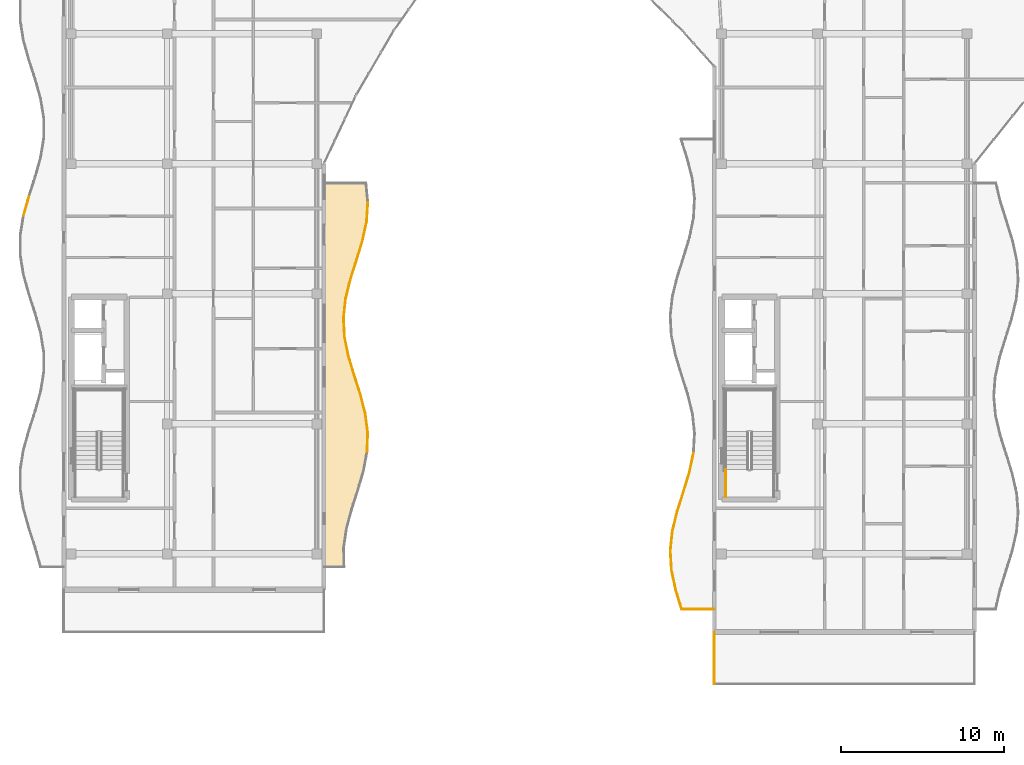
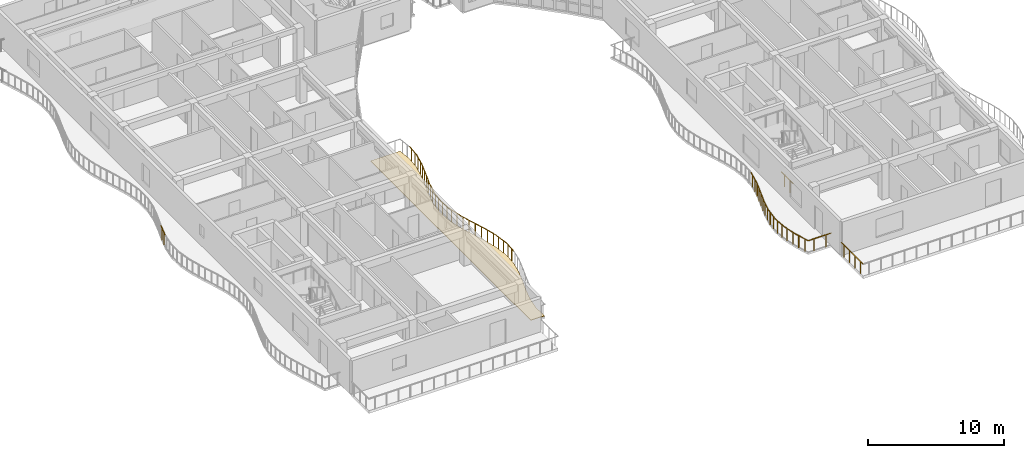
# One storey, part 49 of 71: 25 railings, 1 covering.
"""IFC4 building model written with IfcOpenShell, lengths in metres."""

from ifc_helpers import new_model, si_unit, direction, frame, origin, origin_2d, place, context, subcontext, project, spatial, polyline, circle, outline, extrude, material, layer, layer_set, type_object, element, save


model = new_model("IFC4")

# Units and contexts
model_context = context("Model", 3, precision=1e-05, world=origin(), true_north=direction((0.0, 1.0)))
body_context = subcontext(model_context, "Body", "Model", "MODEL_VIEW")
ifc_project = project(units=[si_unit("LENGTHUNIT", "METRE"), si_unit("AREAUNIT", "SQUARE_METRE"), si_unit("VOLUMEUNIT", "CUBIC_METRE"), si_unit("PLANEANGLEUNIT", "RADIAN"), si_unit("MASSUNIT", "GRAM", prefix="KILO")], contexts=[model_context])

# Site, building, storey
site_placement = place(None, origin())
site = spatial("IfcSite", under=ifc_project, at=site_placement, CompositionType="ELEMENT")
building_placement = place(site_placement, origin())
building = spatial("IfcBuilding", under=site, at=building_placement, Name="Keldmere Railside Commons", CompositionType="ELEMENT")
storey_placement = place(building_placement, frame((0.0, 0.0, 20.159912109375)))
storey = spatial("IfcBuildingStorey", under=building, at=storey_placement, Name="L06", CompositionType="ELEMENT", Elevation=20.159912109375)

# Railings
ifc_material_1 = material(Name="Steel F-24 (S235)", Category="steel")
railing_type_1 = type_object("IfcRailingType", Name="Balcony & Terrace Steel Balustrade 1100", PredefinedType="BALUSTRADE", material=ifc_material_1)
railing_1_placement = place(storey_placement, frame((26.650634765625, 70.280029296875, 0.0)))
element("IfcRailing", 1, at=railing_1_placement, inside=storey, type_object=railing_type_1, Name="GR-1 GRD-L06-0619", PredefinedType="BALUSTRADE", context=body_context, shape_type="SweptSolid", body=[
    extrude(circle(Radius=0.02392578125, at=origin_2d()), frame((0.0, 0.0, 1.076171875), z_axis=(0.034740035652, 0.999396382785, 0.0), x_axis=(-0.999396382785, 0.034740035652, 0.0)), (0.0, 0.0, 1.0), 1.1806640625),
    extrude(circle(Radius=0.02099609375, at=origin_2d()), frame((0.01025390625, 0.294921875, 0.0)), (0.0, 0.0, 1.0), 1.048095703125),
    extrude(circle(Radius=0.02099609375, at=origin_2d()), frame((0.03076171875, 0.885009765625, 0.0)), (0.0, 0.0, 1.0), 1.048095703125),
])
railing_2_placement = place(storey_placement, frame((26.691650390625, 71.4599609375, 0.0)))
element("IfcRailing", 2, at=railing_2_placement, inside=storey, type_object=railing_type_1, Name="GR-1 GRD-L06-0620", PredefinedType="BALUSTRADE", context=body_context, shape_type="SweptSolid", body=[
    extrude(circle(Radius=0.02392578125, at=origin_2d()), frame((0.0, 0.0, 1.076171875), z_axis=(-0.127241973396, 0.991871705518, 0.0), x_axis=(-0.991871705518, -0.127241973396, 0.0)), (0.0, 0.0, 1.0), 1.189697265625),
    extrude(circle(Radius=0.02099609375, at=origin_2d()), frame((-0.037841796875, 0.294921875, 0.0)), (0.0, 0.0, 1.0), 1.048095703125),
    extrude(circle(Radius=0.02099609375, at=origin_2d()), frame((-0.113525390625, 0.885009765625, 0.0)), (0.0, 0.0, 1.0), 1.048095703125),
])
railing_3_placement = place(storey_placement, frame((26.540283203125, 72.639892578125, 0.0)))
element("IfcRailing", 3, at=railing_3_placement, inside=storey, type_object=railing_type_1, Name="GR-1 GRD-L06-0621", PredefinedType="BALUSTRADE", context=body_context, shape_type="SweptSolid", body=[
    extrude(circle(Radius=0.02392578125, at=origin_2d()), frame((0.0, 0.0, 1.076171875), z_axis=(-0.249787145371, 0.968300770426, 0.0), x_axis=(-0.968300770426, -0.249787145371, 0.0)), (0.0, 0.0, 1.0), 1.21875),
    extrude(circle(Radius=0.02099609375, at=origin_2d()), frame((-0.076171875, 0.294921875, 0.0)), (0.0, 0.0, 1.0), 1.048095703125),
    extrude(circle(Radius=0.02099609375, at=origin_2d()), frame((-0.228271484375, 0.88525390625, 0.0)), (0.0, 0.0, 1.0), 1.048095703125),
])
railing_4_placement = place(storey_placement, frame((26.23583984375, 73.820068359375, 0.0)))
element("IfcRailing", 4, at=railing_4_placement, inside=storey, type_object=railing_type_1, Name="GR-1 GRD-L06-0622", PredefinedType="BALUSTRADE", context=body_context, shape_type="SweptSolid", body=[
    extrude(circle(Radius=0.02392578125, at=origin_2d()), frame((0.0, 0.0, 1.076171875), z_axis=(-0.305390476586, 0.952227208607, 0.0), x_axis=(-0.952227208607, -0.305390476586, 0.0)), (0.0, 0.0, 1.0), 1.239013671875),
    extrude(circle(Radius=0.02099609375, at=origin_2d()), frame((-0.0947265625, 0.294921875, 0.0)), (0.0, 0.0, 1.0), 1.048095703125),
    extrude(circle(Radius=0.02099609375, at=origin_2d()), frame((-0.28369140625, 0.885009765625, 0.0)), (0.0, 0.0, 1.0), 1.048095703125),
])
railing_5_placement = place(storey_placement, frame((25.857421875, 75.0, 0.0)))
element("IfcRailing", 5, at=railing_5_placement, inside=storey, type_object=railing_type_1, Name="GR-1 GRD-L06-0623", PredefinedType="BALUSTRADE", context=body_context, shape_type="SweptSolid", body=[
    extrude(circle(Radius=0.02392578125, at=origin_2d()), frame((0.0, 0.0, 1.076171875), z_axis=(-0.287911380588, 0.957657056011, 0.0), x_axis=(-0.957657056011, -0.287911380588, 0.0)), (0.0, 0.0, 1.0), 1.232177734375),
    extrude(circle(Radius=0.02099609375, at=origin_2d()), frame((-0.088623046875, 0.294921875, 0.0)), (0.0, 0.0, 1.0), 1.048095703125),
    extrude(circle(Radius=0.02099609375, at=origin_2d()), frame((-0.26611328125, 0.885009765625, 0.0)), (0.0, 0.0, 1.0), 1.048095703125),
])
railing_6_placement = place(storey_placement, frame((25.502685546875, 76.179931640625, 0.0)))
element("IfcRailing", 6, at=railing_6_placement, inside=storey, type_object=railing_type_1, Name="GR-1 GRD-L06-0624", PredefinedType="BALUSTRADE", context=body_context, shape_type="SweptSolid", body=[
    extrude(circle(Radius=0.02392578125, at=origin_2d()), frame((0.0, 0.0, 1.076171875), z_axis=(-0.19790959669, 0.980220277049, 0.0), x_axis=(-0.980220277049, -0.19790959669, 0.0)), (0.0, 0.0, 1.0), 1.2041015625),
    extrude(circle(Radius=0.02099609375, at=origin_2d()), frame((-0.0595703125, 0.294921875, 0.0)), (0.0, 0.0, 1.0), 1.048095703125),
    extrude(circle(Radius=0.02099609375, at=origin_2d()), frame((-0.1787109375, 0.88525390625, 0.0)), (0.0, 0.0, 1.0), 1.048095703125),
])
railing_7_placement = place(storey_placement, frame((25.264404296875, 77.360107421875, 0.0)))
element("IfcRailing", 7, at=railing_7_placement, inside=storey, type_object=railing_type_1, Name="GR-1 GRD-L06-0625", PredefinedType="BALUSTRADE", context=body_context, shape_type="SweptSolid", body=[
    extrude(circle(Radius=0.02392578125, at=origin_2d()), frame((0.0, 0.0, 1.076171875), z_axis=(-0.051452552165, 0.998675440209, 0.0), x_axis=(-0.998675440209, -0.051452552165, 0.0)), (0.0, 0.0, 1.0), 1.181396484375),
    extrude(circle(Radius=0.02099609375, at=origin_2d()), frame((-0.01513671875, 0.294921875, 0.0)), (0.0, 0.0, 1.0), 1.048095703125),
    extrude(circle(Radius=0.02099609375, at=origin_2d()), frame((-0.045654296875, 0.885009765625, 0.0)), (0.0, 0.0, 1.0), 1.048095703125),
])
railing_8_placement = place(storey_placement, frame((25.20361328125, 78.5400390625, 0.0)))
element("IfcRailing", 8, at=railing_8_placement, inside=storey, type_object=railing_type_1, Name="GR-1 GRD-L06-0626", PredefinedType="BALUSTRADE", context=body_context, shape_type="SweptSolid", body=[
    extrude(circle(Radius=0.02392578125, at=origin_2d()), frame((0.0, 0.0, 1.076171875), z_axis=(0.111853147635, 0.993724747284, 0.0), x_axis=(-0.993724747284, 0.111853147635, 0.0)), (0.0, 0.0, 1.0), 1.1875),
    extrude(circle(Radius=0.02099609375, at=origin_2d()), frame((0.033203125, 0.294921875, 0.0)), (0.0, 0.0, 1.0), 1.048095703125),
    extrude(circle(Radius=0.02099609375, at=origin_2d()), frame((0.099609375, 0.885009765625, 0.0)), (0.0, 0.0, 1.0), 1.048095703125),
])
railing_9_placement = place(storey_placement, frame((25.33642578125, 79.719970703125, 0.0)))
element("IfcRailing", 9, at=railing_9_placement, inside=storey, type_object=railing_type_1, Name="GR-1 GRD-L06-0627", PredefinedType="BALUSTRADE", context=body_context, shape_type="SweptSolid", body=[
    extrude(circle(Radius=0.02392578125, at=origin_2d()), frame((0.0, 0.0, 1.076171875), z_axis=(0.240219226421, 0.970718663289, 0.0), x_axis=(-0.970718663289, 0.240219226421, 0.0)), (0.0, 0.0, 1.0), 1.215576171875),
    extrude(circle(Radius=0.02099609375, at=origin_2d()), frame((0.072998046875, 0.294921875, 0.0)), (0.0, 0.0, 1.0), 1.048095703125),
    extrude(circle(Radius=0.02099609375, at=origin_2d()), frame((0.218994140625, 0.885009765625, 0.0)), (0.0, 0.0, 1.0), 1.048095703125),
])
railing_10_placement = place(storey_placement, frame((25.62841796875, 80.89990234375, 0.0)))
element("IfcRailing", 10, at=railing_10_placement, inside=storey, type_object=railing_type_1, Name="GR-1 GRD-L06-0628", PredefinedType="BALUSTRADE", context=body_context, shape_type="SweptSolid", body=[
    extrude(circle(Radius=0.02392578125, at=origin_2d()), frame((0.0, 0.0, 1.076171875), z_axis=(0.30300835756, 0.952987898794, 0.0), x_axis=(-0.952987898794, 0.30300835756, 0.0)), (0.0, 0.0, 1.0), 1.23828125),
    extrude(circle(Radius=0.02099609375, at=origin_2d()), frame((0.09375, 0.294921875, 0.0)), (0.0, 0.0, 1.0), 1.048095703125),
    extrude(circle(Radius=0.02099609375, at=origin_2d()), frame((0.281494140625, 0.88525390625, 0.0)), (0.0, 0.0, 1.0), 1.048095703125),
])
railing_11_placement = place(storey_placement, frame((26.003662109375, 82.080078125, 0.0)))
element("IfcRailing", 11, at=railing_11_placement, inside=storey, type_object=railing_type_1, Name="GR-1 GRD-L06-0629", PredefinedType="BALUSTRADE", context=body_context, shape_type="SweptSolid", body=[
    extrude(circle(Radius=0.02392578125, at=origin_2d()), frame((0.0, 0.0, 1.076171875), z_axis=(0.292806561966, 0.956171698635, 0.0), x_axis=(-0.956171698635, 0.292806561966, 0.0)), (0.0, 0.0, 1.0), 1.234130859375),
    extrude(circle(Radius=0.02099609375, at=origin_2d()), frame((0.09033203125, 0.294921875, 0.0)), (0.0, 0.0, 1.0), 1.048095703125),
    extrude(circle(Radius=0.02099609375, at=origin_2d()), frame((0.27099609375, 0.885009765625, 0.0)), (0.0, 0.0, 1.0), 1.048095703125),
])
railing_12_placement = place(storey_placement, frame((26.364990234375, 83.260009765625, 0.0)))
element("IfcRailing", 12, at=railing_12_placement, inside=storey, type_object=railing_type_1, Name="GR-1 GRD-L06-0630", PredefinedType="BALUSTRADE", context=body_context, shape_type="SweptSolid", body=[
    extrude(circle(Radius=0.02392578125, at=origin_2d()), frame((0.0, 0.0, 1.076171875), z_axis=(0.21037168173, 0.977621478654, 0.0), x_axis=(-0.977621478654, 0.21037168173, 0.0)), (0.0, 0.0, 1.0), 1.20703125),
    extrude(circle(Radius=0.02099609375, at=origin_2d()), frame((0.0634765625, 0.294921875, 0.0)), (0.0, 0.0, 1.0), 1.048095703125),
    extrude(circle(Radius=0.02099609375, at=origin_2d()), frame((0.1904296875, 0.885009765625, 0.0)), (0.0, 0.0, 1.0), 1.048095703125),
])
railing_13_placement = place(storey_placement, frame((26.618896484375, 84.43994140625, 0.0)))
element("IfcRailing", 13, at=railing_13_placement, inside=storey, type_object=railing_type_1, Name="GR-1 GRD-L06-0631", PredefinedType="BALUSTRADE", context=body_context, shape_type="SweptSolid", body=[
    extrude(circle(Radius=0.02392578125, at=origin_2d()), frame((0.0, 0.0, 1.076171875), z_axis=(0.067902493907, 0.997691962141, 0.0), x_axis=(-0.997691962141, 0.067902493907, 0.0)), (0.0, 0.0, 1.0), 1.182861328125),
    extrude(circle(Radius=0.02099609375, at=origin_2d()), frame((0.02001953125, 0.294921875, 0.0)), (0.0, 0.0, 1.0), 1.048095703125),
    extrude(circle(Radius=0.02099609375, at=origin_2d()), frame((0.060302734375, 0.88525390625, 0.0)), (0.0, 0.0, 1.0), 1.048095703125),
])
railing_14_placement = place(storey_placement, frame((5.520751953125, 84.800048828125, 0.0)))
element("IfcRailing", 14, at=railing_14_placement, inside=storey, type_object=railing_type_1, Name="GR-1 GRD-L06-0653", PredefinedType="BALUSTRADE", context=body_context, shape_type="SweptSolid", body=[
    extrude(circle(Radius=0.02392578125, at=origin_2d()), frame((0.0, 0.0, 1.076171875), z_axis=(0.270138516063, 0.962821469505, 0.0), x_axis=(-0.962821469505, 0.270138516063, 0.0)), (0.0, 0.0, 1.0), 1.246337890625),
    extrude(circle(Radius=0.02099609375, at=origin_2d()), frame((0.084228515625, 0.300048828125, 0.0)), (0.0, 0.0, 1.0), 1.048095703125),
    extrude(circle(Radius=0.02099609375, at=origin_2d()), frame((0.25244140625, 0.89990234375, 0.0)), (0.0, 0.0, 1.0), 1.048095703125),
])
railing_15_placement = place(storey_placement, frame((48.0, 60.60009765625, 0.0)))
element("IfcRailing", 15, at=railing_15_placement, inside=storey, type_object=railing_type_1, Name="GR-1 GRD-L06-1494", PredefinedType="BALUSTRADE", context=body_context, shape_type="SweptSolid", body=[
    extrude(circle(Radius=0.02392578125, at=origin_2d()), frame((0.0, 0.0, 1.076171875), z_axis=(-1.0, 0.0, 0.0), x_axis=(0.0, -1.0, 0.0)), (0.0, 0.0, 1.0), 2.0),
    extrude(circle(Radius=0.02099609375, at=origin_2d()), frame((-0.5, 0.0, 0.0)), (0.0, 0.0, 1.0), 1.048095703125),
    extrude(circle(Radius=0.02099609375, at=origin_2d()), frame((-1.5, 0.0, 0.0)), (0.0, 0.0, 1.0), 1.048095703125),
])
railing_16_placement = place(storey_placement, frame((46.0, 60.60009765625, 0.0)))
element("IfcRailing", 16, at=railing_16_placement, inside=storey, type_object=railing_type_1, Name="GR-1 GRD-L06-1495", PredefinedType="BALUSTRADE", context=body_context, shape_type="SweptSolid", body=[
    extrude(circle(Radius=0.02392578125, at=origin_2d()), frame((0.0, 0.0, 1.076171875), z_axis=(-0.292750448004, 0.956188880501, 0.0), x_axis=(-0.956188880501, -0.292750448004, 0.0)), (0.0, 0.0, 1.0), 1.25927734375),
    extrude(circle(Radius=0.02099609375, at=origin_2d()), frame((-0.09228515625, 0.301025390625, 0.0)), (0.0, 0.0, 1.0), 1.048095703125),
    extrude(circle(Radius=0.02099609375, at=origin_2d()), frame((-0.2763671875, 0.903076171875, 0.0)), (0.0, 0.0, 1.0), 1.048095703125),
])
railing_17_placement = place(storey_placement, frame((45.63134765625, 61.80419921875, 0.0)))
element("IfcRailing", 17, at=railing_17_placement, inside=storey, type_object=railing_type_1, Name="GR-1 GRD-L06-1496", PredefinedType="BALUSTRADE", context=body_context, shape_type="SweptSolid", body=[
    extrude(circle(Radius=0.02392578125, at=origin_2d()), frame((0.0, 0.0, 1.076171875), z_axis=(-0.20765949469, 0.978201172697, 0.0), x_axis=(-0.978201172697, -0.20765949469, 0.0)), (0.0, 0.0, 1.0), 1.23095703125),
    extrude(circle(Radius=0.02099609375, at=origin_2d()), frame((-0.06396484375, 0.301025390625, 0.0)), (0.0, 0.0, 1.0), 1.048095703125),
    extrude(circle(Radius=0.02099609375, at=origin_2d()), frame((-0.191650390625, 0.903076171875, 0.0)), (0.0, 0.0, 1.0), 1.048095703125),
])
railing_18_placement = place(storey_placement, frame((45.375732421875, 63.00830078125, 0.0)))
element("IfcRailing", 18, at=railing_18_placement, inside=storey, type_object=railing_type_1, Name="GR-1 GRD-L06-1497", PredefinedType="BALUSTRADE", context=body_context, shape_type="SweptSolid", body=[
    extrude(circle(Radius=0.02392578125, at=origin_2d()), frame((0.0, 0.0, 1.076171875), z_axis=(-0.061118292775, 0.998130529685, 0.0), x_axis=(-0.998130529685, -0.061118292775, 0.0)), (0.0, 0.0, 1.0), 1.206298828125),
    extrude(circle(Radius=0.02099609375, at=origin_2d()), frame((-0.0185546875, 0.301025390625, 0.0)), (0.0, 0.0, 1.0), 1.048095703125),
    extrude(circle(Radius=0.02099609375, at=origin_2d()), frame((-0.05517578125, 0.903076171875, 0.0)), (0.0, 0.0, 1.0), 1.048095703125),
])
railing_19_placement = place(storey_placement, frame((45.302001953125, 64.21240234375, 0.0)))
element("IfcRailing", 19, at=railing_19_placement, inside=storey, type_object=railing_type_1, Name="GR-1 GRD-L06-1498", PredefinedType="BALUSTRADE", context=body_context, shape_type="SweptSolid", body=[
    extrude(circle(Radius=0.02392578125, at=origin_2d()), frame((0.0, 0.0, 1.076171875), z_axis=(0.105629136688, 0.994405594052, 0.0), x_axis=(-0.994405594052, 0.105629136688, 0.0)), (0.0, 0.0, 1.0), 1.211181640625),
    extrude(circle(Radius=0.02099609375, at=origin_2d()), frame((0.031982421875, 0.301025390625, 0.0)), (0.0, 0.0, 1.0), 1.048095703125),
    extrude(circle(Radius=0.02099609375, at=origin_2d()), frame((0.095947265625, 0.9033203125, 0.0)), (0.0, 0.0, 1.0), 1.048095703125),
])
railing_20_placement = place(storey_placement, frame((45.429931640625, 65.416748046875, 0.0)))
element("IfcRailing", 20, at=railing_20_placement, inside=storey, type_object=railing_type_1, Name="GR-1 GRD-L06-1499", PredefinedType="BALUSTRADE", context=body_context, shape_type="SweptSolid", body=[
    extrude(circle(Radius=0.02392578125, at=origin_2d()), frame((0.0, 0.0, 1.076171875), z_axis=(0.238270591644, 0.971198808256, 0.0), x_axis=(-0.971198808256, 0.238270591644, 0.0)), (0.0, 0.0, 1.0), 1.23974609375),
    extrude(circle(Radius=0.02099609375, at=origin_2d()), frame((0.07373046875, 0.301025390625, 0.0)), (0.0, 0.0, 1.0), 1.048095703125),
    extrude(circle(Radius=0.02099609375, at=origin_2d()), frame((0.2216796875, 0.903076171875, 0.0)), (0.0, 0.0, 1.0), 1.048095703125),
])
railing_21_placement = place(storey_placement, frame((45.725341796875, 66.620849609375, 0.0)))
element("IfcRailing", 21, at=railing_21_placement, inside=storey, type_object=railing_type_1, Name="GR-1 GRD-L06-1500", PredefinedType="BALUSTRADE", context=body_context, shape_type="SweptSolid", body=[
    extrude(circle(Radius=0.02392578125, at=origin_2d()), frame((0.0, 0.0, 1.076171875), z_axis=(0.302980331901, 0.952996809271, 0.0), x_axis=(-0.952996809271, 0.302980331901, 0.0)), (0.0, 0.0, 1.0), 1.263427734375),
    extrude(circle(Radius=0.02099609375, at=origin_2d()), frame((0.095703125, 0.301025390625, 0.0)), (0.0, 0.0, 1.0), 1.048095703125),
    extrude(circle(Radius=0.02099609375, at=origin_2d()), frame((0.287109375, 0.903076171875, 0.0)), (0.0, 0.0, 1.0), 1.048095703125),
])
railing_22_placement = place(storey_placement, frame((46.108154296875, 67.824951171875, 0.0)))
element("IfcRailing", 22, at=railing_22_placement, inside=storey, type_object=railing_type_1, Name="GR-1 GRD-L06-1501", PredefinedType="BALUSTRADE", context=body_context, shape_type="SweptSolid", body=[
    extrude(circle(Radius=0.02392578125, at=origin_2d()), frame((0.0, 0.0, 1.076171875), z_axis=(0.291632251661, 0.956530516916, 0.0), x_axis=(-0.956530516916, 0.291632251661, 0.0)), (0.0, 0.0, 1.0), 1.259033203125),
    extrude(circle(Radius=0.02099609375, at=origin_2d()), frame((0.091796875, 0.301025390625, 0.0)), (0.0, 0.0, 1.0), 1.048095703125),
    extrude(circle(Radius=0.02099609375, at=origin_2d()), frame((0.275390625, 0.9033203125, 0.0)), (0.0, 0.0, 1.0), 1.048095703125),
])
railing_23_placement = place(storey_placement, frame((46.475341796875, 69.029296875, 0.0)))
element("IfcRailing", 23, at=railing_23_placement, inside=storey, type_object=railing_type_1, Name="GR-1 GRD-L06-1502", PredefinedType="BALUSTRADE", context=body_context, shape_type="SweptSolid", body=[
    extrude(circle(Radius=0.02392578125, at=origin_2d()), frame((0.0, 0.0, 1.076171875), z_axis=(0.205190316984, 0.978722092228, 0.0), x_axis=(-0.978722092228, 0.205190316984, 0.0)), (0.0, 0.0, 1.0), 1.230224609375),
    extrude(circle(Radius=0.02099609375, at=origin_2d()), frame((0.06298828125, 0.301025390625, 0.0)), (0.0, 0.0, 1.0), 1.048095703125),
    extrude(circle(Radius=0.02099609375, at=origin_2d()), frame((0.189453125, 0.903076171875, 0.0)), (0.0, 0.0, 1.0), 1.048095703125),
])
railing_24_placement = place(storey_placement, frame((48.0, 59.199951171875, 0.0)))
element("IfcRailing", 24, at=railing_24_placement, inside=storey, type_object=railing_type_1, Name="GR-1 GRD-L06-1546", PredefinedType="BALUSTRADE", context=body_context, shape_type="SweptSolid", body=[
    extrude(circle(Radius=0.02392578125, at=origin_2d()), frame((0.0, 0.0, 1.076171875), z_axis=(0.0, -1.0, 0.0), x_axis=(1.0, 0.0, 0.0)), (0.0, 0.0, 1.0), 3.199951171875),
    extrude(circle(Radius=0.02099609375, at=origin_2d()), frame((0.0, -0.39990234375, 0.0)), (0.0, 0.0, 1.0), 1.048095703125),
    extrude(circle(Radius=0.02099609375, at=origin_2d()), frame((0.0, -1.199951171875, 0.0)), (0.0, 0.0, 1.0), 1.048095703125),
    extrude(circle(Radius=0.02099609375, at=origin_2d()), frame((0.0, -2.0, 0.0)), (0.0, 0.0, 1.0), 1.048095703125),
    extrude(circle(Radius=0.02099609375, at=origin_2d()), frame((0.0, -2.800048828125, 0.0)), (0.0, 0.0, 1.0), 1.048095703125),
])
railing_type_2 = type_object("IfcRailingType", Name="Stair Well Steel Guardrail 1100", PredefinedType="BALUSTRADE", material=ifc_material_1)
railing_25_placement = place(storey_placement, frame((48.699951171875, 67.5, 0.0)))
element("IfcRailing", 25, at=railing_25_placement, inside=storey, type_object=railing_type_2, Name="L06 ST-C1 stair guard 9", PredefinedType="BALUSTRADE", context=body_context, shape_type="SweptSolid", body=[
    extrude(circle(Radius=0.02392578125, at=origin_2d()), frame((0.0, 0.0, 1.076171875), z_axis=(0.0, 1.0, 0.0), x_axis=(-1.0, 0.0, 0.0)), (0.0, 0.0, 1.0), 1.699951171875),
    extrude(circle(Radius=0.02099609375, at=origin_2d()), frame((0.0, 0.425048828125, 0.0)), (0.0, 0.0, 1.0), 1.048095703125),
    extrude(circle(Radius=0.02099609375, at=origin_2d()), frame((0.0, 1.27490234375, 0.0)), (0.0, 0.0, 1.0), 1.048095703125),
])

# Covering
ifc_material_2 = material(Name="White Precast Concrete C35/45", Category="concrete")
ifc_layer = layer(ifc_material_2, 0.044921875, Name="White Architectural Balcony Ribbon Cladding 45")
ifc_layer_set = layer_set([ifc_layer], Name="White Precast Concrete C35/45")
covering_type = type_object("IfcCoveringType", Name="White Architectural Balcony Ribbon Cladding 45", PredefinedType="FLOORING", material=ifc_layer_set)
covering_placement = place(storey_placement, origin())
element("IfcCovering", 26, at=covering_placement, inside=storey, type_object=covering_type, Name="CLG-WB D L06 CE White Balcony Ribbon", PredefinedType="FLOORING", context=body_context, shape_type="SweptSolid", body=[
    extrude(outline(polyline([(25.17529296875, 64.37939453125), (25.17529296875, 64.382568359375), (25.17578125, 64.3857421875), (25.34521484375, 65.565673828125), (25.34619140625, 65.5703125), (25.662353515625, 66.75048828125), (25.662841796875, 66.752197265625), (26.043212890625, 67.931884765625), (26.38916015625, 69.109375), (26.61083984375, 70.284423828125), (26.651611328125, 71.4580078125), (26.500732421875, 72.63232421875), (26.197509765625, 73.808837890625), (25.819091796875, 74.98779296875), (25.819091796875, 74.988525390625), (25.464599609375, 76.16845703125), (25.463623046875, 76.172119140625), (25.22509765625, 77.35205078125), (25.224609375, 77.35498046875), (25.224365234375, 77.35791015625), (25.163818359375, 78.537841796875), (25.16357421875, 78.541259765625), (25.163818359375, 78.54443359375), (25.296630859375, 79.724609375), (25.297607421875, 79.7294921875), (25.589599609375, 80.90966796875), (25.590087890625, 80.912109375), (25.96533203125, 82.091796875), (26.326416015625, 83.27001953125), (26.5791015625, 84.445556640625), (26.6591796875, 85.619384765625), (26.549072265625, 86.760009765625), (24.0400390625, 86.760009765625), (24.0400390625, 63.239990234375), (25.195556640625, 63.239990234375), (25.17529296875, 64.37939453125)])), origin(), (0.0, 0.0, 1.0), 0.045166015625),
])

save(model, "model.ifc")
